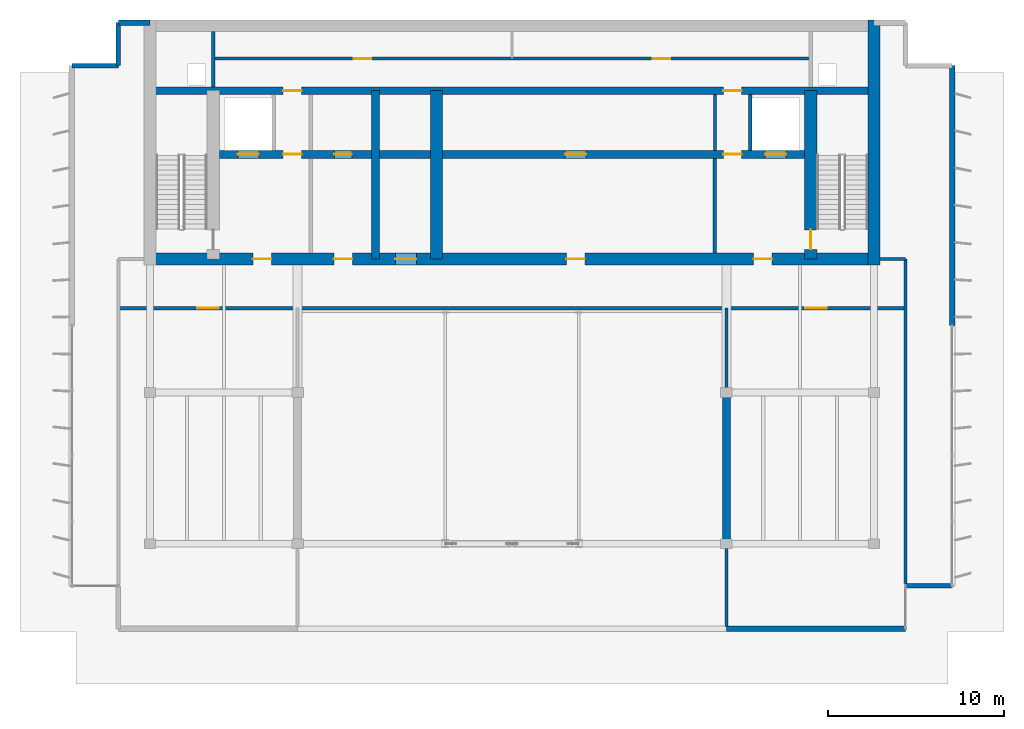
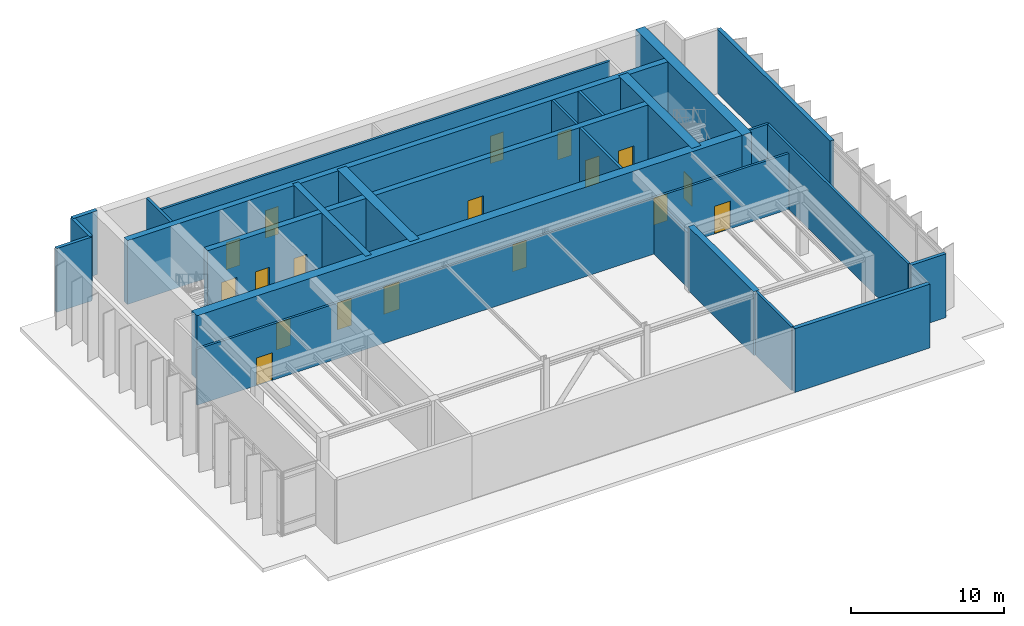
# One storey, part 6 of 10: 24 walls, 18 doors, 18 openings.
"""IFC4 building model written with IfcOpenShell, lengths in metres."""

from ifc_helpers import new_model, si_unit, direction, frame, frame_2d, origin, place, context, subcontext, project, spatial, rectangle, extrude, material, layer, layer_set, type_object, element, fill, save


model = new_model("IFC4")

# Units and contexts
model_context = context("Model", 3, precision=1e-05, world=origin(), true_north=direction((0.0, 1.0)))
body_context = subcontext(model_context, "Body", "Model", "MODEL_VIEW")
ifc_project = project(units=[si_unit("LENGTHUNIT", "METRE"), si_unit("AREAUNIT", "SQUARE_METRE"), si_unit("VOLUMEUNIT", "CUBIC_METRE"), si_unit("PLANEANGLEUNIT", "RADIAN"), si_unit("MASSUNIT", "GRAM", prefix="KILO")], contexts=[model_context])

# Site, building, storey
site_placement = place(None, origin())
site = spatial("IfcSite", under=ifc_project, at=site_placement, CompositionType="ELEMENT")
building_placement = place(site_placement, origin())
building = spatial("IfcBuilding", under=site, at=building_placement, Name="Caelmar Bay Residences", CompositionType="ELEMENT")
storey_placement = place(building_placement, frame((0.0, 0.0, 279.39990234375)))
storey = spatial("IfcBuildingStorey", under=building, at=storey_placement, Name="L78", CompositionType="ELEMENT", Elevation=279.39990234375)

# Wall, openings, doors
ifc_material_1 = material(Name="Concrete f'c 55 MPa (8,000 psi)", Category="concrete")
ifc_layer_1 = layer(ifc_material_1, 0.699951171875)
ifc_layer_set_1 = layer_set([ifc_layer_1], Name="Concrete f'c 55 MPa (8,000 psi)")
wall_type_1 = type_object("IfcWallType", Name="SW-COR-700", PredefinedType="SHEAR", material=ifc_layer_set_1)
wall_1_placement = place(storey_placement, frame((17.949951171875, 37.0, 0.0), z_axis=(0.0, 0.0, 1.0), x_axis=(1.0, 0.0, 0.0)))
wall_1 = element("IfcWall", 1, at=wall_1_placement, inside=storey, type_object=wall_type_1, Name="L78 Rear Core South Shear Wall", PredefinedType="SHEAR", context=body_context, shape_type="SweptSolid", body=[
    extrude(rectangle(XDim=41.900146484375, YDim=0.699951171875, at=frame_2d((20.9501953125, 0.0))), origin(), (0.0, 0.0, 1.0), 5.10009765625),
])
opening_1_placement = place(wall_1_placement, frame((14.3125, 0.0, 0.0)))
opening_1 = element("IfcOpeningElement", 2, at=opening_1_placement, cuts=wall_1, Name="Opening D-L78-103", PredefinedType="OPENING", context=body_context, shape_type="SweptSolid", body=[
    extrude(rectangle(XDim=1.199951171875, YDim=2.199951171875, at=frame_2d((0.60009765625, 1.10009765625))), frame((0.0, 0.35986328125, 0.0), z_axis=(0.0, -1.0, 0.0), x_axis=(1.0, 0.0, 0.0)), (0.0, 0.0, 1.0), 0.719970703125),
])
opening_2_placement = place(wall_1_placement, frame((6.199951171875, 0.0, 0.0)))
opening_2 = element("IfcOpeningElement", 3, at=opening_2_placement, cuts=wall_1, Name="Opening D-L78-104", PredefinedType="OPENING", context=body_context, shape_type="SweptSolid", body=[
    extrude(rectangle(XDim=1.050048828125, YDim=2.14990234375, at=frame_2d((0.52490234375, 1.074951171875))), frame((0.0, 0.35986328125, 0.0), z_axis=(0.0, -1.0, 0.0), x_axis=(1.0, 0.0, 0.0)), (0.0, 0.0, 1.0), 0.719970703125),
])
opening_3_placement = place(wall_1_placement, frame((34.699951171875, 0.0, 0.0)))
opening_3 = element("IfcOpeningElement", 4, at=opening_3_placement, cuts=wall_1, Name="Opening D-L78-107", PredefinedType="OPENING", context=body_context, shape_type="SweptSolid", body=[
    extrude(rectangle(XDim=1.050048828125, YDim=2.14990234375, at=frame_2d((0.52490234375, 1.074951171875))), frame((0.0, 0.35986328125, 0.0), z_axis=(0.0, -1.0, 0.0), x_axis=(1.0, 0.0, 0.0)), (0.0, 0.0, 1.0), 0.719970703125),
])
opening_4_placement = place(wall_1_placement, frame((10.8125, 0.0, 0.0)))
opening_4 = element("IfcOpeningElement", 5, at=opening_4_placement, cuts=wall_1, Name="Opening D-L78-110", PredefinedType="OPENING", context=body_context, shape_type="SweptSolid", body=[
    extrude(rectangle(XDim=1.050048828125, YDim=2.14990234375, at=frame_2d((0.52490234375, 1.074951171875))), frame((0.0, 0.35986328125, 0.0), z_axis=(0.0, -1.0, 0.0), x_axis=(1.0, 0.0, 0.0)), (0.0, 0.0, 1.0), 0.719970703125),
])
opening_5_placement = place(wall_1_placement, frame((24.050048828125, 0.0, 0.0)))
opening_5 = element("IfcOpeningElement", 6, at=opening_5_placement, cuts=wall_1, Name="Opening D-L78-112", PredefinedType="OPENING", context=body_context, shape_type="SweptSolid", body=[
    extrude(rectangle(XDim=1.050048828125, YDim=2.14990234375, at=frame_2d((0.52490234375, 1.074951171875))), frame((0.0, 0.35986328125, 0.0), z_axis=(0.0, -1.0, 0.0), x_axis=(1.0, 0.0, 0.0)), (0.0, 0.0, 1.0), 0.719970703125),
])
ifc_material_2 = material(Name="Fire-rated steel and walnut architectural door assembly", Category="steel")
ifc_layer_2 = layer(ifc_material_2, 0.050048828125)
ifc_layer_set_2 = layer_set([ifc_layer_2], Name="Fire-rated steel and walnut architectural door assembly")
door_type_1 = type_object("IfcDoorType", Name="D-FSAE-1050", OperationType="NOTDEFINED", PredefinedType="DOOR", material=ifc_layer_set_2)
door_1_placement = place(opening_2_placement, origin())
door_1 = element("IfcDoor", 7, at=door_1_placement, inside=storey, type_object=door_type_1, Name="L78 Firefighting Lobby West Door", OperationType="SINGLE_SWING_RIGHT", OverallHeight=2.14990234375, OverallWidth=1.050048828125, PredefinedType="DOOR", context=body_context, shape_type="SweptSolid", body=[
    extrude(rectangle(XDim=1.050048828125, YDim=2.14990234375, at=frame_2d((0.52490234375, 1.074951171875))), frame((0.0, 0.02490234375, 0.0), z_axis=(0.0, -1.0, 0.0), x_axis=(1.0, 0.0, 0.0)), (0.0, 0.0, 1.0), 0.050048828125),
])
fill(opening_2, door_1)
door_2_placement = place(opening_3_placement, origin())
door_2 = element("IfcDoor", 8, at=door_2_placement, inside=storey, type_object=door_type_1, Name="L78 Firefighting Lobby East Door", OperationType="SINGLE_SWING_LEFT", OverallHeight=2.14990234375, OverallWidth=1.050048828125, PredefinedType="DOOR", context=body_context, shape_type="SweptSolid", body=[
    extrude(rectangle(XDim=1.050048828125, YDim=2.14990234375, at=frame_2d((0.52490234375, 1.074951171875))), frame((0.0, 0.02490234375, 0.0), z_axis=(0.0, -1.0, 0.0), x_axis=(1.0, 0.0, 0.0)), (0.0, 0.0, 1.0), 0.050048828125),
])
fill(opening_3, door_2)
door_3_placement = place(opening_4_placement, origin())
door_3 = element("IfcDoor", 9, at=door_3_placement, inside=storey, type_object=door_type_1, Name="L78 West Lift Lobby Door", OperationType="SINGLE_SWING_RIGHT", OverallHeight=2.14990234375, OverallWidth=1.050048828125, PredefinedType="DOOR", context=body_context, shape_type="SweptSolid", body=[
    extrude(rectangle(XDim=1.050048828125, YDim=2.14990234375, at=frame_2d((0.52490234375, 1.074951171875))), frame((0.0, 0.02490234375, 0.0), z_axis=(0.0, -1.0, 0.0), x_axis=(1.0, 0.0, 0.0)), (0.0, 0.0, 1.0), 0.050048828125),
])
fill(opening_4, door_3)
door_4_placement = place(opening_5_placement, origin())
door_4 = element("IfcDoor", 10, at=door_4_placement, inside=storey, type_object=door_type_1, Name="L78 Passenger Lift Lobby Door", OperationType="SINGLE_SWING_RIGHT", OverallHeight=2.14990234375, OverallWidth=1.050048828125, PredefinedType="DOOR", context=body_context, shape_type="SweptSolid", body=[
    extrude(rectangle(XDim=1.050048828125, YDim=2.14990234375, at=frame_2d((0.52490234375, 1.074951171875))), frame((0.0, 0.02490234375, 0.0), z_axis=(0.0, -1.0, 0.0), x_axis=(1.0, 0.0, 0.0)), (0.0, 0.0, 1.0), 0.050048828125),
])
fill(opening_5, door_4)
ifc_layer_3 = layer(ifc_material_2, 0.050048828125)
ifc_layer_set_3 = layer_set([ifc_layer_3], Name="Fire-rated steel and walnut architectural door assembly")
door_type_2 = type_object("IfcDoorType", Name="D-PLANT-1200", OperationType="NOTDEFINED", PredefinedType="DOOR", material=ifc_layer_set_3)
door_5_placement = place(opening_1_placement, origin())
door_5 = element("IfcDoor", 11, at=door_5_placement, inside=storey, type_object=door_type_2, Name="L78 Crown Pressurisation Fan Room Door", OperationType="SINGLE_SWING_LEFT", OverallHeight=2.199951171875, OverallWidth=1.199951171875, PredefinedType="DOOR", context=body_context, shape_type="SweptSolid", body=[
    extrude(rectangle(XDim=1.199951171875, YDim=2.199951171875, at=frame_2d((0.60009765625, 1.10009765625))), frame((0.0, 0.02490234375, 0.0), z_axis=(0.0, -1.0, 0.0), x_axis=(1.0, 0.0, 0.0)), (0.0, 0.0, 1.0), 0.050048828125),
])
fill(opening_1, door_5)

# Wall
wall_2_placement = place(storey_placement, frame((59.5, 36.64990234375, 0.0), z_axis=(0.0, 0.0, 1.0), x_axis=(0.0, 1.0, 0.0)))
element("IfcWall", 12, at=wall_2_placement, inside=storey, type_object=wall_type_1, Name="L78 Rear Core East Shear Wall", PredefinedType="SHEAR", context=body_context, shape_type="SweptSolid", body=[
    extrude(rectangle(XDim=13.9501953125, YDim=0.699951171875, at=frame_2d((6.97509765625, 0.0))), origin(), (0.0, 0.0, 1.0), 5.10009765625),
])

# Wall, opening, door
wall_3_placement = place(storey_placement, frame((55.89990234375, 37.0, 0.0), z_axis=(0.0, 0.0, 1.0), x_axis=(0.0, 1.0, 0.0)))
wall_3 = element("IfcWall", 13, at=wall_3_placement, inside=storey, type_object=wall_type_1, Name="L78 Core Structural Web Wall ST2W", PredefinedType="SHEAR", context=body_context, shape_type="SweptSolid", body=[
    extrude(rectangle(XDim=9.574951171875, YDim=0.699951171875, at=frame_2d((4.78759765625, 0.0))), origin(), (0.0, 0.0, 1.0), 5.10009765625),
])
opening_6_placement = place(wall_3_placement, frame((0.550048828125, 0.0, 0.0)))
opening_6 = element("IfcOpeningElement", 14, at=opening_6_placement, cuts=wall_3, Name="Opening D-L78-108", PredefinedType="OPENING", context=body_context, shape_type="SweptSolid", body=[
    extrude(rectangle(XDim=1.10009765625, YDim=2.14990234375, at=frame_2d((0.550048828125, 1.074951171875))), frame((0.0, 0.35986328125, 0.0), z_axis=(0.0, -1.0, 0.0), x_axis=(1.0, 0.0, 0.0)), (0.0, 0.0, 1.0), 0.719970703125),
])
ifc_layer_4 = layer(ifc_material_2, 0.050048828125)
ifc_layer_set_4 = layer_set([ifc_layer_4], Name="Fire-rated steel and walnut architectural door assembly")
door_type_3 = type_object("IfcDoorType", Name="D-STAIR-1100", OperationType="NOTDEFINED", PredefinedType="DOOR", material=ifc_layer_set_4)
door_6_placement = place(opening_6_placement, origin())
door_6 = element("IfcDoor", 15, at=door_6_placement, inside=storey, type_object=door_type_3, Name="L78 Firefighting Lobby East Door", OperationType="SINGLE_SWING_RIGHT", OverallHeight=2.14990234375, OverallWidth=1.10009765625, PredefinedType="DOOR", context=body_context, shape_type="SweptSolid", body=[
    extrude(rectangle(XDim=1.10009765625, YDim=2.14990234375, at=frame_2d((0.550048828125, 1.074951171875))), frame((0.0, 0.02490234375, 0.0), z_axis=(0.0, -1.0, 0.0), x_axis=(1.0, 0.0, 0.0)), (0.0, 0.0, 1.0), 0.050048828125),
])
fill(opening_6, door_6)

# Walls
wall_4_placement = place(storey_placement, frame((34.60009765625, 37.0, 0.0), z_axis=(0.0, 0.0, 1.0), x_axis=(0.0, 1.0, 0.0)))
element("IfcWall", 16, at=wall_4_placement, inside=storey, type_object=wall_type_1, Name="L78 Core Structural Web Wall ST3E", PredefinedType="SHEAR", context=body_context, shape_type="SweptSolid", body=[
    extrude(rectangle(XDim=9.574951171875, YDim=0.699951171875, at=frame_2d((4.78759765625, 0.0))), origin(), (0.0, 0.0, 1.0), 5.10009765625),
])
ifc_material_3 = material(Name="Concrete f'c 70 MPa (10,000 psi)", Category="concrete")
ifc_layer_5 = layer(ifc_material_3, 0.449951171875)
ifc_layer_set_5 = layer_set([ifc_layer_5], Name="Concrete f'c 70 MPa (10,000 psi)")
wall_type_2 = type_object("IfcWallType", Name="SW-WEB-450", PredefinedType="SHEAR", material=ifc_layer_set_5)
wall_5_placement = place(storey_placement, frame((31.125, 37.0, 0.0), z_axis=(0.0, 0.0, 1.0), x_axis=(0.0, 1.0, 0.0)))
element("IfcWall", 17, at=wall_5_placement, inside=storey, type_object=wall_type_2, Name="L78 Core Structural Web Wall ST3W", PredefinedType="SHEAR", context=body_context, shape_type="SweptSolid", body=[
    extrude(rectangle(XDim=9.574951171875, YDim=0.449951171875, at=frame_2d((4.78759765625, 0.0))), origin(), (0.0, 0.0, 1.0), 5.10009765625),
])

# Wall, openings, doors
wall_6_placement = place(storey_placement, frame((22.25, 42.949951171875, 0.0), z_axis=(0.0, 0.0, 1.0), x_axis=(1.0, 0.0, 0.0)))
wall_6 = element("IfcWall", 18, at=wall_6_placement, inside=storey, type_object=wall_type_2, Name="L78 Core Structural Web Wall LFR", PredefinedType="SHEAR", context=body_context, shape_type="SweptSolid", body=[
    extrude(rectangle(XDim=33.300048828125, YDim=0.449951171875, at=frame_2d((16.64990234375, 0.0))), origin(), (0.0, 0.0, 1.0), 5.10009765625),
])
opening_7_placement = place(wall_6_placement, frame((1.050048828125, 0.0, 0.0)))
opening_7 = element("IfcOpeningElement", 19, at=opening_7_placement, cuts=wall_6, Name="Opening LD2", PredefinedType="OPENING", context=body_context, shape_type="SweptSolid", body=[
    extrude(rectangle(XDim=1.199951171875, YDim=2.199951171875, at=frame_2d((0.60009765625, 1.10009765625))), frame((0.0, 0.23486328125, 0.0), z_axis=(0.0, -1.0, 0.0), x_axis=(1.0, 0.0, 0.0)), (0.0, 0.0, 1.0), 0.469970703125),
])
opening_8_placement = place(wall_6_placement, frame((31.050048828125, 0.0, 0.0)))
opening_8 = element("IfcOpeningElement", 20, at=opening_8_placement, cuts=wall_6, Name="Opening LD2", PredefinedType="OPENING", context=body_context, shape_type="SweptSolid", body=[
    extrude(rectangle(XDim=1.199951171875, YDim=2.199951171875, at=frame_2d((0.60009765625, 1.10009765625))), frame((0.0, 0.23486328125, 0.0), z_axis=(0.0, -1.0, 0.0), x_axis=(1.0, 0.0, 0.0)), (0.0, 0.0, 1.0), 0.469970703125),
])
opening_9_placement = place(wall_6_placement, frame((3.625, 0.0, 0.0)))
opening_9 = element("IfcOpeningElement", 21, at=opening_9_placement, cuts=wall_6, Name="Opening D-L78-106", PredefinedType="OPENING", context=body_context, shape_type="SweptSolid", body=[
    extrude(rectangle(XDim=1.050048828125, YDim=2.14990234375, at=frame_2d((0.52490234375, 1.074951171875))), frame((0.0, 0.23486328125, 0.0), z_axis=(0.0, -1.0, 0.0), x_axis=(1.0, 0.0, 0.0)), (0.0, 0.0, 1.0), 0.469970703125),
])
opening_10_placement = place(wall_6_placement, frame((28.675048828125, 0.0, 0.0)))
opening_10 = element("IfcOpeningElement", 22, at=opening_10_placement, cuts=wall_6, Name="Opening D-L78-109", PredefinedType="OPENING", context=body_context, shape_type="SweptSolid", body=[
    extrude(rectangle(XDim=1.050048828125, YDim=2.14990234375, at=frame_2d((0.52490234375, 1.074951171875))), frame((0.0, 0.23486328125, 0.0), z_axis=(0.0, -1.0, 0.0), x_axis=(1.0, 0.0, 0.0)), (0.0, 0.0, 1.0), 0.469970703125),
])
opening_11_placement = place(wall_6_placement, frame((6.53759765625, 0.0, 0.0)))
opening_11 = element("IfcOpeningElement", 23, at=opening_11_placement, cuts=wall_6, Name="Opening D-L78-111", PredefinedType="OPENING", context=body_context, shape_type="SweptSolid", body=[
    extrude(rectangle(XDim=1.0, YDim=2.199951171875, at=frame_2d((0.5, 1.10009765625))), frame((0.0, 0.23486328125, 0.0), z_axis=(0.0, -1.0, 0.0), x_axis=(1.0, 0.0, 0.0)), (0.0, 0.0, 1.0), 0.469970703125),
])
opening_12_placement = place(wall_6_placement, frame((19.675048828125, 0.0, 0.0)))
opening_12 = element("IfcOpeningElement", 24, at=opening_12_placement, cuts=wall_6, Name="Opening D-L78-113", PredefinedType="OPENING", context=body_context, shape_type="SweptSolid", body=[
    extrude(rectangle(XDim=1.199951171875, YDim=2.199951171875, at=frame_2d((0.60009765625, 1.10009765625))), frame((0.0, 0.23486328125, 0.0), z_axis=(0.0, -1.0, 0.0), x_axis=(1.0, 0.0, 0.0)), (0.0, 0.0, 1.0), 0.469970703125),
])
door_7_placement = place(opening_9_placement, origin())
door_7 = element("IfcDoor", 25, at=door_7_placement, inside=storey, type_object=door_type_1, Name="L78 Firefighting Lobby West Door", OperationType="SINGLE_SWING_RIGHT", OverallHeight=2.14990234375, OverallWidth=1.050048828125, PredefinedType="DOOR", context=body_context, shape_type="SweptSolid", body=[
    extrude(rectangle(XDim=1.050048828125, YDim=2.14990234375, at=frame_2d((0.52490234375, 1.074951171875))), frame((0.0, 0.02490234375, 0.0), z_axis=(0.0, -1.0, 0.0), x_axis=(1.0, 0.0, 0.0)), (0.0, 0.0, 1.0), 0.050048828125),
])
fill(opening_9, door_7)
door_8_placement = place(opening_10_placement, origin())
door_8 = element("IfcDoor", 26, at=door_8_placement, inside=storey, type_object=door_type_1, Name="L78 Firefighting Lobby East Door", OperationType="SINGLE_SWING_LEFT", OverallHeight=2.14990234375, OverallWidth=1.050048828125, PredefinedType="DOOR", context=body_context, shape_type="SweptSolid", body=[
    extrude(rectangle(XDim=1.050048828125, YDim=2.14990234375, at=frame_2d((0.52490234375, 1.074951171875))), frame((0.0, 0.02490234375, 0.0), z_axis=(0.0, -1.0, 0.0), x_axis=(1.0, 0.0, 0.0)), (0.0, 0.0, 1.0), 0.050048828125),
])
fill(opening_10, door_8)
ifc_material_4 = material(Name="Brushed stainless-steel FSAE sliding landing door", Category="steel")
ifc_layer_6 = layer(ifc_material_4, 0.050048828125)
ifc_layer_set_6 = layer_set([ifc_layer_6], Name="Brushed stainless-steel FSAE sliding landing door")
door_type_4 = type_object("IfcDoorType", Name="D-LND-1200", OperationType="DOUBLE_DOOR_SLIDING", PredefinedType="DOOR", material=ifc_layer_set_6)
door_9_placement = place(opening_7_placement, origin())
door_9 = element("IfcDoor", 27, at=door_9_placement, inside=storey, type_object=door_type_4, Name="L78 LF1 Sliding Landing Door", OperationType="DOUBLE_DOOR_SLIDING", OverallHeight=2.199951171875, OverallWidth=1.199951171875, PredefinedType="DOOR", context=body_context, shape_type="SweptSolid", body=[
    extrude(rectangle(XDim=1.199951171875, YDim=2.199951171875, at=frame_2d((0.60009765625, 1.10009765625))), frame((0.0, 0.02490234375, 0.0), z_axis=(0.0, -1.0, 0.0), x_axis=(1.0, 0.0, 0.0)), (0.0, 0.0, 1.0), 0.050048828125),
])
fill(opening_7, door_9)
door_10_placement = place(opening_8_placement, origin())
door_10 = element("IfcDoor", 28, at=door_10_placement, inside=storey, type_object=door_type_4, Name="L78 LF2 Sliding Landing Door", OperationType="DOUBLE_DOOR_SLIDING", OverallHeight=2.199951171875, OverallWidth=1.199951171875, PredefinedType="DOOR", context=body_context, shape_type="SweptSolid", body=[
    extrude(rectangle(XDim=1.199951171875, YDim=2.199951171875, at=frame_2d((0.60009765625, 1.10009765625))), frame((0.0, 0.02490234375, 0.0), z_axis=(0.0, -1.0, 0.0), x_axis=(1.0, 0.0, 0.0)), (0.0, 0.0, 1.0), 0.050048828125),
])
fill(opening_8, door_10)
door_11_placement = place(opening_12_placement, origin())
door_11 = element("IfcDoor", 29, at=door_11_placement, inside=storey, type_object=door_type_2, Name="L78 Lift Machine Plant Room Door", OperationType="SINGLE_SWING_LEFT", OverallHeight=2.199951171875, OverallWidth=1.199951171875, PredefinedType="DOOR", context=body_context, shape_type="SweptSolid", body=[
    extrude(rectangle(XDim=1.199951171875, YDim=2.199951171875, at=frame_2d((0.60009765625, 1.10009765625))), frame((0.0, 0.02490234375, 0.0), z_axis=(0.0, -1.0, 0.0), x_axis=(1.0, 0.0, 0.0)), (0.0, 0.0, 1.0), 0.050048828125),
])
fill(opening_12, door_11)
ifc_layer_7 = layer(ifc_material_2, 0.050048828125)
ifc_layer_set_7 = layer_set([ifc_layer_7], Name="Fire-rated steel and walnut architectural door assembly")
door_type_5 = type_object("IfcDoorType", Name="D-UNIT-1000", OperationType="NOTDEFINED", PredefinedType="DOOR", material=ifc_layer_set_7)
door_12_placement = place(opening_11_placement, origin())
door_12 = element("IfcDoor", 30, at=door_12_placement, inside=storey, type_object=door_type_5, Name="L78 Core Equipment Closet Door", OperationType="SINGLE_SWING_LEFT", OverallHeight=2.199951171875, OverallWidth=1.0, PredefinedType="DOOR", context=body_context, shape_type="SweptSolid", body=[
    extrude(rectangle(XDim=1.0, YDim=2.199951171875, at=frame_2d((0.5, 1.10009765625))), frame((0.0, 0.02490234375, 0.0), z_axis=(0.0, -1.0, 0.0), x_axis=(1.0, 0.0, 0.0)), (0.0, 0.0, 1.0), 0.050048828125),
])
fill(opening_11, door_12)

wall_7_placement = place(storey_placement, frame((18.300048828125, 46.574951171875, 0.0), z_axis=(0.0, 0.0, 1.0), x_axis=(1.0, 0.0, 0.0)))
wall_7 = element("IfcWall", 31, at=wall_7_placement, inside=storey, type_object=wall_type_2, Name="L78 Core Structural Web Wall SRVS", PredefinedType="SHEAR", context=body_context, shape_type="SweptSolid", body=[
    extrude(rectangle(XDim=41.199951171875, YDim=0.449951171875, at=frame_2d((20.60009765625, 0.0))), origin(), (0.0, 0.0, 1.0), 5.10009765625),
])
opening_13_placement = place(wall_7_placement, frame((7.574951171875, 0.0, 0.0)))
opening_13 = element("IfcOpeningElement", 32, at=opening_13_placement, cuts=wall_7, Name="Opening D-L78-114", PredefinedType="OPENING", context=body_context, shape_type="SweptSolid", body=[
    extrude(rectangle(XDim=1.050048828125, YDim=2.14990234375, at=frame_2d((0.52490234375, 1.074951171875))), frame((0.0, 0.23486328125, 0.0), z_axis=(0.0, -1.0, 0.0), x_axis=(1.0, 0.0, 0.0)), (0.0, 0.0, 1.0), 0.469970703125),
])
opening_14_placement = place(wall_7_placement, frame((32.625, 0.0, 0.0)))
opening_14 = element("IfcOpeningElement", 33, at=opening_14_placement, cuts=wall_7, Name="Opening D-L78-115", PredefinedType="OPENING", context=body_context, shape_type="SweptSolid", body=[
    extrude(rectangle(XDim=1.050048828125, YDim=2.14990234375, at=frame_2d((0.52490234375, 1.074951171875))), frame((0.0, 0.23486328125, 0.0), z_axis=(0.0, -1.0, 0.0), x_axis=(1.0, 0.0, 0.0)), (0.0, 0.0, 1.0), 0.469970703125),
])
door_13_placement = place(opening_13_placement, origin())
door_13 = element("IfcDoor", 34, at=door_13_placement, inside=storey, type_object=door_type_1, Name="L78 Core Service Corridor Door", OperationType="SINGLE_SWING_RIGHT", OverallHeight=2.14990234375, OverallWidth=1.050048828125, PredefinedType="DOOR", context=body_context, shape_type="SweptSolid", body=[
    extrude(rectangle(XDim=1.050048828125, YDim=2.14990234375, at=frame_2d((0.52490234375, 1.074951171875))), frame((0.0, 0.02490234375, 0.0), z_axis=(0.0, -1.0, 0.0), x_axis=(1.0, 0.0, 0.0)), (0.0, 0.0, 1.0), 0.050048828125),
])
fill(opening_13, door_13)
door_14_placement = place(opening_14_placement, origin())
door_14 = element("IfcDoor", 35, at=door_14_placement, inside=storey, type_object=door_type_1, Name="L78 Core Service Corridor Door", OperationType="SINGLE_SWING_LEFT", OverallHeight=2.14990234375, OverallWidth=1.050048828125, PredefinedType="DOOR", context=body_context, shape_type="SweptSolid", body=[
    extrude(rectangle(XDim=1.050048828125, YDim=2.14990234375, at=frame_2d((0.52490234375, 1.074951171875))), frame((0.0, 0.02490234375, 0.0), z_axis=(0.0, -1.0, 0.0), x_axis=(1.0, 0.0, 0.0)), (0.0, 0.0, 1.0), 0.050048828125),
])
fill(opening_14, door_14)

# Walls
ifc_layer_8 = layer(ifc_material_1, 0.449951171875)
ifc_layer_set_8 = layer_set([ifc_layer_8], Name="Concrete f'c 55 MPa (8,000 psi)")
wall_type_3 = type_object("IfcWallType", Name="SW-XSLB-450", PredefinedType="SHEAR", material=ifc_layer_set_8)
wall_8_placement = place(storey_placement, frame((51.10009765625, 20.800048828125, 0.0), z_axis=(0.0, 0.0, 1.0), x_axis=(0.0, 1.0, 0.0)))
element("IfcWall", 36, at=wall_8_placement, inside=storey, type_object=wall_type_3, Name="L78 Transverse Cross-Slab Shear Wall E8", PredefinedType="SHEAR", context=body_context, shape_type="SweptSolid", body=[
    extrude(rectangle(XDim=8.599853515625, YDim=0.449951171875, at=frame_2d((4.2998046875, 0.0))), origin(), (0.0, 0.0, 1.0), 5.10009765625),
])
ifc_material_5 = material(Name="Double-stud acoustic fire-rated gypsum partition 180 mm")
ifc_layer_9 = layer(ifc_material_5, 0.179931640625)
ifc_layer_set_9 = layer_set([ifc_layer_9], Name="Double-stud acoustic fire-rated gypsum partition 180 mm")
wall_type_4 = type_object("IfcWallType", Name="W-COR-200", PredefinedType="PARTITIONING", material=ifc_layer_set_9)
wall_9_placement = place(storey_placement, frame((50.449951171875, 43.169921875, 0.0), z_axis=(0.0, 0.0, 1.0), x_axis=(0.0, 1.0, 0.0)))
element("IfcWall", 37, at=wall_9_placement, inside=storey, type_object=wall_type_4, Name="L78 Partition Wall V010", PredefinedType="PARTITIONING", context=body_context, shape_type="SweptSolid", body=[
    extrude(rectangle(XDim=3.18505859375, YDim=0.179931640625, at=frame_2d((1.592529296875, 0.0))), origin(), (0.0, 0.0, 1.0), 5.10009765625),
])
wall_10_placement = place(storey_placement, frame((51.10009765625, 16.094970703125, 0.0), z_axis=(0.0, 0.0, 1.0), x_axis=(0.0, 1.0, 0.0)))
element("IfcWall", 38, at=wall_10_placement, inside=storey, type_object=wall_type_4, Name="L78 Partition Wall V011", PredefinedType="PARTITIONING", context=body_context, shape_type="SweptSolid", body=[
    extrude(rectangle(XDim=4.699951171875, YDim=0.179931640625, at=frame_2d((2.35009765625, 0.0))), origin(), (0.0, 0.0, 1.0), 5.10009765625),
])
wall_11_placement = place(storey_placement, frame((51.10009765625, 29.405029296875, 0.0), z_axis=(0.0, 0.0, 1.0), x_axis=(0.0, 1.0, 0.0)))
element("IfcWall", 39, at=wall_11_placement, inside=storey, type_object=wall_type_4, Name="L78 Partition Wall V012", PredefinedType="PARTITIONING", context=body_context, shape_type="SweptSolid", body=[
    extrude(rectangle(XDim=4.794921875, YDim=0.179931640625, at=frame_2d((2.3974609375, 0.0))), origin(), (0.0, 0.0, 1.0), 4.385009765625),
])
wall_12_placement = place(storey_placement, frame((61.300048828125, 18.52001953125, 0.0), z_axis=(0.0, 0.0, 1.0), x_axis=(0.0, 1.0, 0.0)))
element("IfcWall", 40, at=wall_12_placement, inside=storey, type_object=wall_type_4, Name="L78 Partition Wall V015", PredefinedType="PARTITIONING", context=body_context, shape_type="SweptSolid", body=[
    extrude(rectangle(XDim=18.47998046875, YDim=0.179931640625, at=frame_2d((9.239990234375, 0.0))), origin(), (0.0, 0.0, 1.0), 5.10009765625),
])

# Wall, openings, doors
wall_13_placement = place(storey_placement, frame((16.5, 34.199951171875, 0.0), z_axis=(0.0, 0.0, 1.0), x_axis=(1.0, 0.0, 0.0)))
wall_13 = element("IfcWall", 41, at=wall_13_placement, inside=storey, type_object=wall_type_4, Name="L78 Partition Wall H016", PredefinedType="PARTITIONING", context=body_context, shape_type="SweptSolid", body=[
    extrude(rectangle(XDim=44.800048828125, YDim=0.179931640625, at=frame_2d((22.39990234375, 0.0))), origin(), (0.0, 0.0, 1.0), 4.468017578125),
])
opening_15_placement = place(wall_13_placement, frame((4.5, 0.0, 0.0)))
opening_15 = element("IfcOpeningElement", 42, at=opening_15_placement, cuts=wall_13, Name="Opening D-L78-118", PredefinedType="OPENING", context=body_context, shape_type="SweptSolid", body=[
    extrude(rectangle(XDim=1.199951171875, YDim=2.199951171875, at=frame_2d((0.60009765625, 1.10009765625))), frame((0.0, 0.099853515625, 0.0), z_axis=(0.0, -1.0, 0.0), x_axis=(1.0, 0.0, 0.0)), (0.0, 0.0, 1.0), 0.199951171875),
])
opening_16_placement = place(wall_13_placement, frame((39.10009765625, 0.0, 0.0)))
opening_16 = element("IfcOpeningElement", 43, at=opening_16_placement, cuts=wall_13, Name="Opening D-L78-119", PredefinedType="OPENING", context=body_context, shape_type="SweptSolid", body=[
    extrude(rectangle(XDim=1.199951171875, YDim=2.199951171875, at=frame_2d((0.60009765625, 1.10009765625))), frame((0.0, 0.099853515625, 0.0), z_axis=(0.0, -1.0, 0.0), x_axis=(1.0, 0.0, 0.0)), (0.0, 0.0, 1.0), 0.199951171875),
])
door_15_placement = place(opening_15_placement, origin())
door_15 = element("IfcDoor", 44, at=door_15_placement, inside=storey, type_object=door_type_2, Name="L78 West Turbine Control Plant Room L78 Door", OperationType="SINGLE_SWING_RIGHT", OverallHeight=2.199951171875, OverallWidth=1.199951171875, PredefinedType="DOOR", context=body_context, shape_type="SweptSolid", body=[
    extrude(rectangle(XDim=1.199951171875, YDim=2.199951171875, at=frame_2d((0.60009765625, 1.10009765625))), frame((0.0, 0.02490234375, 0.0), z_axis=(0.0, -1.0, 0.0), x_axis=(1.0, 0.0, 0.0)), (0.0, 0.0, 1.0), 0.050048828125),
])
fill(opening_15, door_15)
door_16_placement = place(opening_16_placement, origin())
door_16 = element("IfcDoor", 45, at=door_16_placement, inside=storey, type_object=door_type_2, Name="L78 East Turbine Inverter Plant Room L78 Door", OperationType="SINGLE_SWING_LEFT", OverallHeight=2.199951171875, OverallWidth=1.199951171875, PredefinedType="DOOR", context=body_context, shape_type="SweptSolid", body=[
    extrude(rectangle(XDim=1.199951171875, YDim=2.199951171875, at=frame_2d((0.60009765625, 1.10009765625))), frame((0.0, 0.02490234375, 0.0), z_axis=(0.0, -1.0, 0.0), x_axis=(1.0, 0.0, 0.0)), (0.0, 0.0, 1.0), 0.050048828125),
])
fill(opening_16, door_16)

# Wall
wall_14_placement = place(storey_placement, frame((59.85498046875, 37.0, 0.0), z_axis=(0.0, 0.0, 1.0), x_axis=(1.0, 0.0, 0.0)))
element("IfcWall", 46, at=wall_14_placement, inside=storey, type_object=wall_type_4, Name="L78 Partition Wall H018", PredefinedType="PARTITIONING", context=body_context, shape_type="SweptSolid", body=[
    extrude(rectangle(XDim=1.445068359375, YDim=0.179931640625, at=frame_2d((0.72265625, 0.0))), origin(), (0.0, 0.0, 1.0), 5.10009765625),
])

# Wall, openings, doors
wall_15_placement = place(storey_placement, frame((21.89990234375, 48.39990234375, 0.0), z_axis=(0.0, 0.0, 1.0), x_axis=(1.0, 0.0, 0.0)))
wall_15 = element("IfcWall", 47, at=wall_15_placement, inside=storey, type_object=wall_type_4, Name="L78 Partition Wall H019", PredefinedType="PARTITIONING", context=body_context, shape_type="SweptSolid", body=[
    extrude(rectangle(XDim=34.0, YDim=0.179931640625, at=frame_2d((17.0, 0.0))), origin(), (0.0, 0.0, 1.0), 5.10009765625),
])
opening_17_placement = place(wall_15_placement, frame((8.0, 0.0, 0.0)))
opening_17 = element("IfcOpeningElement", 48, at=opening_17_placement, cuts=wall_15, Name="Opening D-L78-116", PredefinedType="OPENING", context=body_context, shape_type="SweptSolid", body=[
    extrude(rectangle(XDim=1.0, YDim=2.199951171875, at=frame_2d((0.5, 1.10009765625))), frame((0.0, 0.099853515625, 0.0), z_axis=(0.0, -1.0, 0.0), x_axis=(1.0, 0.0, 0.0)), (0.0, 0.0, 1.0), 0.199951171875),
])
opening_18_placement = place(wall_15_placement, frame((25.0, 0.0, 0.0)))
opening_18 = element("IfcOpeningElement", 49, at=opening_18_placement, cuts=wall_15, Name="Opening D-L78-117", PredefinedType="OPENING", context=body_context, shape_type="SweptSolid", body=[
    extrude(rectangle(XDim=1.0, YDim=2.199951171875, at=frame_2d((0.5, 1.10009765625))), frame((0.0, 0.099853515625, 0.0), z_axis=(0.0, -1.0, 0.0), x_axis=(1.0, 0.0, 0.0)), (0.0, 0.0, 1.0), 0.199951171875),
])
door_17_placement = place(opening_17_placement, origin())
door_17 = element("IfcDoor", 50, at=door_17_placement, inside=storey, type_object=door_type_5, Name="L78 Building Management Office Door", OperationType="SINGLE_SWING_RIGHT", OverallHeight=2.199951171875, OverallWidth=1.0, PredefinedType="DOOR", context=body_context, shape_type="SweptSolid", body=[
    extrude(rectangle(XDim=1.0, YDim=2.199951171875, at=frame_2d((0.5, 1.10009765625))), frame((0.0, 0.02490234375, 0.0), z_axis=(0.0, -1.0, 0.0), x_axis=(1.0, 0.0, 0.0)), (0.0, 0.0, 1.0), 0.050048828125),
])
fill(opening_17, door_17)
door_18_placement = place(opening_18_placement, origin())
door_18 = element("IfcDoor", 51, at=door_18_placement, inside=storey, type_object=door_type_5, Name="L78 Concierge Operations Office Door", OperationType="SINGLE_SWING_LEFT", OverallHeight=2.199951171875, OverallWidth=1.0, PredefinedType="DOOR", context=body_context, shape_type="SweptSolid", body=[
    extrude(rectangle(XDim=1.0, YDim=2.199951171875, at=frame_2d((0.5, 1.10009765625))), frame((0.0, 0.02490234375, 0.0), z_axis=(0.0, -1.0, 0.0), x_axis=(1.0, 0.0, 0.0)), (0.0, 0.0, 1.0), 0.050048828125),
])
fill(opening_18, door_18)

# Walls
ifc_material_6 = material(Name="Precast concrete f'c 40 MPa (6,000 psi)", Category="concrete")
ifc_layer_10 = layer(ifc_material_6, 0.25)
ifc_layer_set_10 = layer_set([ifc_layer_10], Name="Precast concrete f'c 40 MPa (6,000 psi)")
wall_type_5 = type_object("IfcWallType", Name="W-EXT-250", PredefinedType="ELEMENTEDWALL", material=ifc_layer_set_10)
for number, where, z_axis, x_axis, name in (
    (52, (61.300048828125, 18.39990234375, 0.0), (0.0, 0.0, 1.0), (1.0, 0.0, 0.0), "L78 SE Notch Return Wall"),
    (53, (13.85009765625, 48.0, 0.0), (0.0, 0.0, 1.0), (1.0, 0.0, 0.0), "L78 NNW-H Notch Wall"),
):
    element("IfcWall", number, at=place(storey_placement, frame(where, z_axis=z_axis, x_axis=x_axis)), inside=storey, type_object=wall_type_5, Name=name, PredefinedType="ELEMENTEDWALL", context=body_context, shape_type="SweptSolid", body=[
        extrude(rectangle(XDim=2.64990234375, YDim=0.25, at=frame_2d((1.324951171875, 0.0))), origin(), (0.0, 0.0, 1.0), 5.10009765625),
    ])
wall_16_placement = place(storey_placement, frame((16.5, 48.0, 0.0), z_axis=(0.0, 0.0, 1.0), x_axis=(0.0, 1.0, 0.0)))
element("IfcWall", 54, at=wall_16_placement, inside=storey, type_object=wall_type_5, Name="L78 NNW-V Notch Wall", PredefinedType="ELEMENTEDWALL", context=body_context, shape_type="SweptSolid", body=[
    extrude(rectangle(XDim=2.449951171875, YDim=0.25, at=frame_2d((1.22509765625, 0.0))), origin(), (0.0, 0.0, 1.0), 5.10009765625),
])
ifc_layer_11 = layer(ifc_material_6, 0.300048828125)
ifc_layer_set_11 = layer_set([ifc_layer_11], Name="Precast concrete f'c 40 MPa (6,000 psi)")
wall_type_6 = type_object("IfcWallType", Name="W-EXT-300", PredefinedType="STANDARD", material=ifc_layer_set_11)
wall_17_placement = place(storey_placement, frame((61.300048828125, 15.949951171875, 0.0), z_axis=(0.0, 0.0, 1.0), x_axis=(-1.0, 0.0, 0.0)))
element("IfcWall", 55, at=wall_17_placement, inside=storey, type_object=wall_type_6, Name="L78 South-East Crown Wall", PredefinedType="STANDARD", context=body_context, shape_type="SweptSolid", body=[
    extrude(rectangle(XDim=10.199951171875, YDim=0.300048828125, at=frame_2d((5.10009765625, 0.0))), origin(), (0.0, 0.0, 1.0), 5.10009765625),
])
wall_18_placement = place(storey_placement, frame((63.949951171875, 48.0, 0.0), z_axis=(0.0, 0.0, 1.0), x_axis=(0.0, -1.0, 0.0)))
element("IfcWall", 56, at=wall_18_placement, inside=storey, type_object=wall_type_6, Name="L78 East Rear Exterior Wall", PredefinedType="STANDARD", context=body_context, shape_type="SweptSolid", body=[
    extrude(rectangle(XDim=14.800048828125, YDim=0.300048828125, at=frame_2d((7.39990234375, 0.0))), origin(), (0.0, 0.0, 1.0), 5.10009765625),
])
wall_19_placement = place(storey_placement, frame((16.5, 50.449951171875, 0.0), z_axis=(0.0, 0.0, 1.0), x_axis=(1.0, 0.0, 0.0)))
element("IfcWall", 57, at=wall_19_placement, inside=storey, type_object=wall_type_6, Name="L78 North-West Wing Exterior Wall", PredefinedType="STANDARD", context=body_context, shape_type="SweptSolid", body=[
    extrude(rectangle(XDim=1.800048828125, YDim=0.300048828125, at=frame_2d((0.89990234375, 0.0))), origin(), (0.0, 0.0, 1.0), 5.10009765625),
])
ifc_material_7 = material(Name="Fire-rated masonry and gypsum shaftliner assembly 200 mm", Category="masonry")
ifc_layer_12 = layer(ifc_material_7, 0.199951171875)
ifc_layer_set_12 = layer_set([ifc_layer_12], Name="Fire-rated masonry and gypsum shaftliner assembly 200 mm")
wall_type_7 = type_object("IfcWallType", Name="W-FSAE-200", PredefinedType="PARTITIONING", material=ifc_layer_set_12)
wall_20_placement = place(storey_placement, frame((21.89990234375, 46.794921875, 0.0), z_axis=(0.0, 0.0, 1.0), x_axis=(0.0, 1.0, 0.0)))
element("IfcWall", 58, at=wall_20_placement, inside=storey, type_object=wall_type_7, Name="L78 Partition Wall V002", PredefinedType="PARTITIONING", context=body_context, shape_type="SweptSolid", body=[
    extrude(rectangle(XDim=3.16015625, YDim=0.199951171875, at=frame_2d((1.580078125, 0.0))), origin(), (0.0, 0.0, 1.0), 5.10009765625),
])
wall_21_placement = place(storey_placement, frame((50.449951171875, 37.344970703125, 0.0), z_axis=(0.0, 0.0, 1.0), x_axis=(0.0, 1.0, 0.0)))
element("IfcWall", 59, at=wall_21_placement, inside=storey, type_object=wall_type_7, Name="L78 Partition Wall V009", PredefinedType="PARTITIONING", context=body_context, shape_type="SweptSolid", body=[
    extrude(rectangle(XDim=5.385009765625, YDim=0.199951171875, at=frame_2d((2.6923828125, 0.0))), origin(), (0.0, 0.0, 1.0), 5.10009765625),
])
wall_22_placement = place(storey_placement, frame((52.449951171875, 43.169921875, 0.0), z_axis=(0.0, 0.0, 1.0), x_axis=(0.0, 1.0, 0.0)))
element("IfcWall", 60, at=wall_22_placement, inside=storey, type_object=wall_type_7, Name="L78 Partition Wall V013", PredefinedType="PARTITIONING", context=body_context, shape_type="SweptSolid", body=[
    extrude(rectangle(XDim=3.18505859375, YDim=0.199951171875, at=frame_2d((1.592529296875, 0.0))), origin(), (0.0, 0.0, 1.0), 5.10009765625),
])

save(model, "model.ifc")
